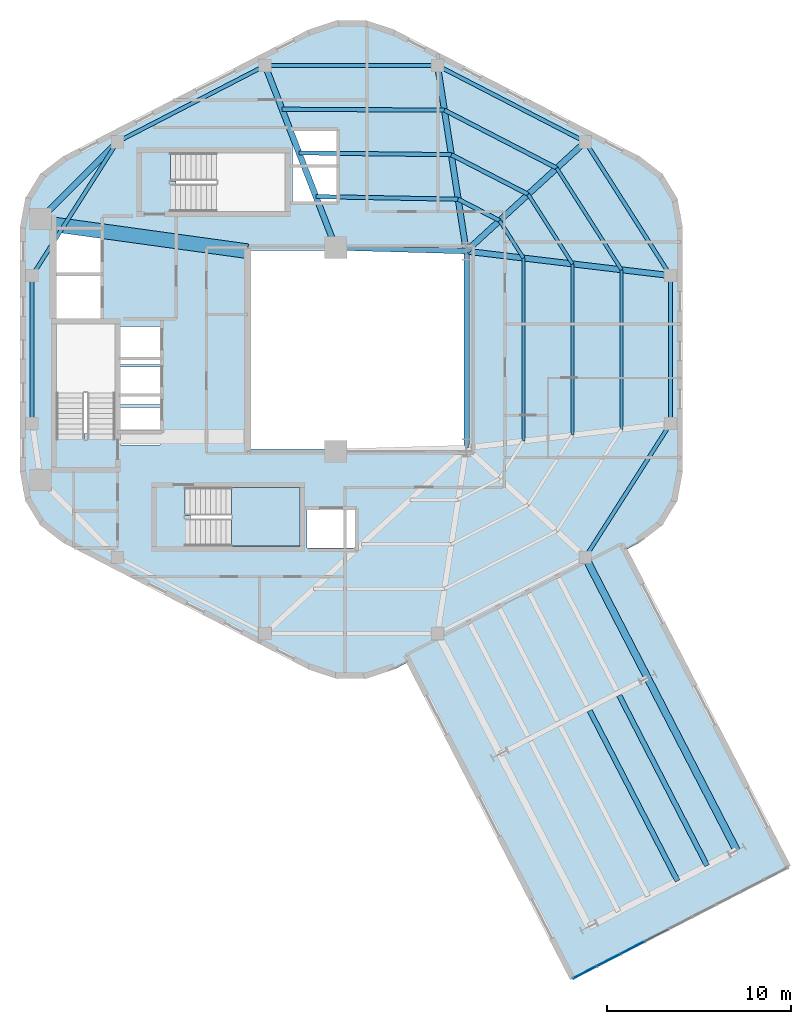
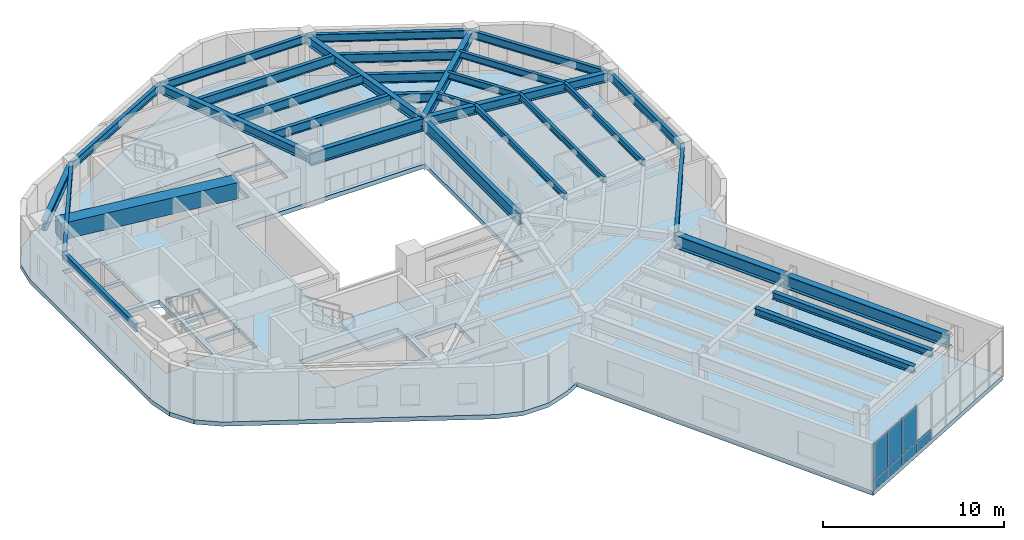
# One storey, part 5 of 10: 32 beams, 7 plates, 2 slabs, 2 elements without a shape of their own.
"""IFC4 building model written with IfcOpenShell, lengths in metres."""

from ifc_helpers import new_model, si_unit, direction, frame, origin, origin_2d, place, context, subcontext, project, spatial, polyline, rectangle, i_section, outline, extrude, material, layer, layer_set, material_profile, profile_set, type_object, element, aggregate, save


model = new_model("IFC4")

# Units and contexts
model_context = context("Model", 3, precision=1e-05, world=origin(), true_north=direction((0.0, 1.0)))
body_context = subcontext(model_context, "Body", "Model", "MODEL_VIEW")
ifc_project = project(units=[si_unit("LENGTHUNIT", "METRE"), si_unit("AREAUNIT", "SQUARE_METRE"), si_unit("VOLUMEUNIT", "CUBIC_METRE"), si_unit("PLANEANGLEUNIT", "RADIAN"), si_unit("MASSUNIT", "GRAM", prefix="KILO"), si_unit("THERMODYNAMICTEMPERATUREUNIT", "KELVIN"), si_unit("POWERUNIT", "WATT")], contexts=[model_context])

# Site, building, storey
site_placement = place(None, origin())
site = spatial("IfcSite", under=ifc_project, at=site_placement, CompositionType="ELEMENT")
building_placement = place(site_placement, origin())
building = spatial("IfcBuilding", under=site, at=building_placement, Name="Skarre Station Tower", CompositionType="ELEMENT")
storey_placement = place(building_placement, frame((0.0, 0.0, 238.35009765625)))
storey = spatial("IfcBuildingStorey", under=building, at=storey_placement, Name="L65", CompositionType="ELEMENT", Elevation=238.35009765625)

# Beams
ifc_material_1 = material(Name="Concrete C70/85", Category="concrete")
ifc_material_profile_1 = material_profile(ifc_material_1, rectangle(XDim=0.800048828125, YDim=1.10009765625, at=origin_2d()), Name="Concrete C70/85")
ifc_profile_set_1 = profile_set([ifc_material_profile_1], Name="Concrete C70/85")
beam_type_1 = type_object("IfcBeamType", Name="RC Core Coupling Lintel 800x1100", PredefinedType="LINTEL", material=ifc_profile_set_1)
beam_1_placement = place(storey_placement, frame((17.050048828125, 30.800048828125, 2.7099609375), z_axis=(0.990599723633, -0.136792498109, 0.0), x_axis=(0.136792498109, 0.990599723633, 0.0)))
element("IfcBeam", 1, at=beam_1_placement, inside=storey, type_object=beam_type_1, Name="L65 North Core Coupling Lintel", PredefinedType="LINTEL", context=body_context, shape_type="SweptSolid", body=[
    extrude(rectangle(XDim=0.800048828125, YDim=1.10009765625, at=origin_2d()), origin(), (0.0, 0.0, 1.0), 10.599609375),
])
ifc_material_2 = material(Name="Steel ASTM A992 Grade 50", Category="steel")
ifc_material_profile_2 = material_profile(ifc_material_2, i_section(OverallWidth=0.323974609375, OverallDepth=0.611083984375, WebThickness=0.012939453125, FlangeThickness=0.01904296875, at=origin_2d()), Name="Steel ASTM A992 Grade 50")
ifc_profile_set_2 = profile_set([ifc_material_profile_2], Name="Steel ASTM A992 Grade 50")
beam_type_2 = type_object("IfcBeamType", Name="Steel Beam W24X104", PredefinedType="BEAM", material=ifc_profile_set_2)
beam_2_placement = place(storey_placement, frame((39.449951171875, 29.35009765625, 2.954833984375), z_axis=(0.736547671183, 0.676385635621, 0.0), x_axis=(-0.676385635621, 0.736547671183, 0.0)))
element("IfcBeam", 2, at=beam_2_placement, inside=storey, type_object=beam_type_2, Name="L65 Radial Floor Girder F0C1", PredefinedType="BEAM", context=body_context, shape_type="SweptSolid", body=[
    extrude(i_section(OverallWidth=0.323974609375, OverallDepth=0.611083984375, WebThickness=0.012939453125, FlangeThickness=0.01904296875, at=origin_2d()), origin(), (0.0, 0.0, 1.0), 8.793701171875),
])
beam_3_placement = place(storey_placement, frame((39.449951171875, 29.35009765625, 2.954833984375), z_axis=(-0.152789762931, 0.988258715288, 0.0), x_axis=(-0.988258715288, -0.152789762931, 0.0)))
element("IfcBeam", 3, at=beam_3_placement, inside=storey, type_object=beam_type_2, Name="L65 Radial Floor Girder F0C2", PredefinedType="BEAM", context=body_context, shape_type="SweptSolid", body=[
    extrude(i_section(OverallWidth=0.323974609375, OverallDepth=0.611083984375, WebThickness=0.012939453125, FlangeThickness=0.01904296875, at=origin_2d()), origin(), (0.0, 0.0, 1.0), 10.216796875),
])
beam_4_placement = place(storey_placement, frame((32.35009765625, 29.550048828125, 2.954833984375), z_axis=(-0.361651478681, 0.932313363611, 0.0), x_axis=(-0.932313363611, -0.361651478681, 0.0)))
element("IfcBeam", 4, at=beam_4_placement, inside=storey, type_object=beam_type_2, Name="L65 Radial Floor Girder F1C1", PredefinedType="BEAM", context=body_context, shape_type="SweptSolid", body=[
    extrude(i_section(OverallWidth=0.323974609375, OverallDepth=0.611083984375, WebThickness=0.012939453125, FlangeThickness=0.01904296875, at=origin_2d()), origin(), (0.0, 0.0, 1.0), 10.615478515625),
])
beam_5_placement = place(storey_placement, frame((16.300048828125, 31.10009765625, 2.954833984375), z_axis=(0.704979413242, 0.709227768002, 0.0), x_axis=(-0.709227768002, 0.704979413242, 0.0)))
element("IfcBeam", 5, at=beam_5_placement, inside=storey, type_object=beam_type_2, Name="L65 Radial Floor Girder F1C2", PredefinedType="BEAM", context=body_context, shape_type="SweptSolid", body=[
    extrude(i_section(OverallWidth=0.323974609375, OverallDepth=0.611083984375, WebThickness=0.012939453125, FlangeThickness=0.01904296875, at=origin_2d()), origin(), (0.0, 0.0, 1.0), 5.919189453125),
])
beam_6_placement = place(storey_placement, frame((39.449951171875, 29.35009765625, 2.954833984375), z_axis=(0.99292393128, -0.118752122891, 0.0), x_axis=(0.118752122891, 0.99292393128, 0.0)))
element("IfcBeam", 6, at=beam_6_placement, inside=storey, type_object=beam_type_2, Name="L65 Radial Floor Girder F5C2", PredefinedType="BEAM", context=body_context, shape_type="SweptSolid", body=[
    extrude(i_section(OverallWidth=0.323974609375, OverallDepth=0.611083984375, WebThickness=0.012939453125, FlangeThickness=0.01904296875, at=origin_2d()), origin(), (0.0, 0.0, 1.0), 11.192138671875),
])
ifc_material_profile_3 = material_profile(ifc_material_2, i_section(OverallWidth=0.26806640625, OverallDepth=0.77001953125, WebThickness=0.01611328125, FlangeThickness=0.02490234375, at=origin_2d()), Name="Steel ASTM A992 Grade 50")
ifc_profile_set_3 = profile_set([ifc_material_profile_3], Name="Steel ASTM A992 Grade 50")
beam_type_3 = type_object("IfcBeamType", Name="Steel Beam W30X132", PredefinedType="BEAM", material=ifc_profile_set_3)
beam_7_placement = place(storey_placement, frame((39.449951171875, 18.64990234375, 2.875), z_axis=(0.0, 1.0, 0.0), x_axis=(-1.0, 0.0, 0.0)))
element("IfcBeam", 7, at=beam_7_placement, inside=storey, type_object=beam_type_3, Name="L65 Atrium East Edge Girder", PredefinedType="BEAM", context=body_context, shape_type="SweptSolid", body=[
    extrude(i_section(OverallWidth=0.26806640625, OverallDepth=0.77001953125, WebThickness=0.01611328125, FlangeThickness=0.02490234375, at=origin_2d()), origin(), (0.0, 0.0, 1.0), 10.7001953125),
])
ifc_material_profile_4 = material_profile(ifc_material_2, i_section(OverallWidth=0.2919921875, OverallDepth=0.85888671875, WebThickness=0.01708984375, FlangeThickness=0.031005859375, at=origin_2d()), Name="Steel ASTM A992 Grade 50")
ifc_profile_set_4 = profile_set([ifc_material_profile_4], Name="Steel ASTM A992 Grade 50")
beam_type_4 = type_object("IfcBeamType", Name="Steel Beam W33X169", PredefinedType="BEAM", material=ifc_profile_set_4)
beam_8_placement = place(storey_placement, frame((32.35009765625, 29.550048828125, 2.830810546875), z_axis=(0.999603666405, -0.028151556095, 0.0), x_axis=(0.028151556095, 0.999603666405, 0.0)))
element("IfcBeam", 8, at=beam_8_placement, inside=storey, type_object=beam_type_4, Name="L65 Atrium North Edge Girder", PredefinedType="BEAM", context=body_context, shape_type="SweptSolid", body=[
    extrude(i_section(OverallWidth=0.2919921875, OverallDepth=0.85888671875, WebThickness=0.01708984375, FlangeThickness=0.031005859375, at=origin_2d()), origin(), (0.0, 0.0, 1.0), 7.102783203125),
])
ifc_material_profile_5 = material_profile(ifc_material_2, i_section(OverallWidth=0.40087890625, OverallDepth=0.876953125, WebThickness=0.02197265625, FlangeThickness=0.0400390625, at=origin_2d()), Name="Steel ASTM A992 Grade 50")
ifc_profile_set_5 = profile_set([ifc_material_profile_5], Name="Steel ASTM A992 Grade 50")
beam_type_5 = type_object("IfcBeamType", Name="Steel Beam W33X263", PredefinedType="BEAM", material=ifc_profile_set_5)
beam_9_placement = place(storey_placement, frame((45.927001953125, 12.701904296875, 2.822021484375), z_axis=(0.45867578355, -0.888603694334, 0.0), x_axis=(0.888603694334, 0.45867578355, 0.0)))
element("IfcBeam", 9, at=beam_9_placement, inside=storey, type_object=beam_type_5, Name="L65 SB-5 Side 2 Inner Girder", PredefinedType="BEAM", context=body_context, shape_type="SweptSolid", body=[
    extrude(i_section(OverallWidth=0.40087890625, OverallDepth=0.876953125, WebThickness=0.02197265625, FlangeThickness=0.0400390625, at=origin_2d()), origin(), (0.0, 0.0, 1.0), 7.3798828125),
])
beam_10_placement = place(storey_placement, frame((49.31201171875, 6.14404296875, 2.822021484375), z_axis=(0.458743525652, -0.888568724226, 0.0), x_axis=(0.888568724226, 0.458743525652, 0.0)))
element("IfcBeam", 10, at=beam_10_placement, inside=storey, type_object=beam_type_5, Name="L65 SB-5 Side 2 Outer Girder", PredefinedType="BEAM", context=body_context, shape_type="SweptSolid", body=[
    extrude(i_section(OverallWidth=0.40087890625, OverallDepth=0.876953125, WebThickness=0.02197265625, FlangeThickness=0.0400390625, at=origin_2d()), origin(), (0.0, 0.0, 1.0), 10.56982421875),
])
ifc_material_profile_6 = material_profile(ifc_material_2, i_section(OverallWidth=0.177978515625, OverallDepth=0.403076171875, WebThickness=0.008056640625, FlangeThickness=0.010986328125, at=origin_2d()), Name="Steel ASTM A992 Grade 50")
ifc_profile_set_6 = profile_set([ifc_material_profile_6], Name="Steel ASTM A992 Grade 50")
beam_type_6 = type_object("IfcBeamType", Name="Steel Joist W16X36", PredefinedType="JOIST", material=ifc_profile_set_6)
beam_11_placement = place(storey_placement, frame((42.56201171875, 19.02197265625, 3.058837890625), z_axis=(0.0, 1.0, 0.0), x_axis=(-1.0, 0.0, 0.0)))
element("IfcBeam", 11, at=beam_11_placement, inside=storey, type_object=beam_type_6, Name="L65 Auxiliary Composite Joist 21", PredefinedType="JOIST", context=body_context, shape_type="SweptSolid", body=[
    extrude(i_section(OverallWidth=0.177978515625, OverallDepth=0.403076171875, WebThickness=0.008056640625, FlangeThickness=0.010986328125, at=origin_2d()), origin(), (0.0, 0.0, 1.0), 9.9560546875),
])
beam_12_placement = place(storey_placement, frame((45.22900390625, 19.341064453125, 3.058837890625), z_axis=(0.0, 1.0, 0.0), x_axis=(-1.0, 0.0, 0.0)))
element("IfcBeam", 12, at=beam_12_placement, inside=storey, type_object=beam_type_6, Name="L65 Auxiliary Composite Joist 22", PredefinedType="JOIST", context=body_context, shape_type="SweptSolid", body=[
    extrude(i_section(OverallWidth=0.177978515625, OverallDepth=0.403076171875, WebThickness=0.008056640625, FlangeThickness=0.010986328125, at=origin_2d()), origin(), (0.0, 0.0, 1.0), 9.31787109375),
])
beam_13_placement = place(storey_placement, frame((47.89599609375, 19.659912109375, 3.058837890625), z_axis=(0.0, 1.0, 0.0), x_axis=(-1.0, 0.0, 0.0)))
element("IfcBeam", 13, at=beam_13_placement, inside=storey, type_object=beam_type_6, Name="L65 Auxiliary Composite Joist 23", PredefinedType="JOIST", context=body_context, shape_type="SweptSolid", body=[
    extrude(i_section(OverallWidth=0.177978515625, OverallDepth=0.403076171875, WebThickness=0.008056640625, FlangeThickness=0.010986328125, at=origin_2d()), origin(), (0.0, 0.0, 1.0), 8.68017578125),
])
ifc_material_profile_7 = material_profile(ifc_material_2, i_section(OverallWidth=0.19091796875, OverallDepth=0.45703125, WebThickness=0.009033203125, FlangeThickness=0.013916015625, at=origin_2d()), Name="Steel ASTM A992 Grade 50")
ifc_profile_set_7 = profile_set([ifc_material_profile_7], Name="Steel ASTM A992 Grade 50")
beam_type_7 = type_object("IfcBeamType", Name="Steel Joist W18X50", PredefinedType="JOIST", material=ifc_profile_set_7)
beam_14_placement = place(storey_placement, frame((42.56201171875, 28.97802734375, 3.031982421875), z_axis=(-0.537437848622, 0.843303361116, 0.0), x_axis=(-0.843303361116, -0.537437848622, 0.0)))
element("IfcBeam", 14, at=beam_14_placement, inside=storey, type_object=beam_type_7, Name="L65 Auxiliary Composite Joist 24", PredefinedType="JOIST", context=body_context, shape_type="SweptSolid", body=[
    extrude(i_section(OverallWidth=0.19091796875, OverallDepth=0.45703125, WebThickness=0.009033203125, FlangeThickness=0.013916015625, at=origin_2d()), origin(), (0.0, 0.0, 1.0), 2.415283203125),
])
beam_15_placement = place(storey_placement, frame((45.22900390625, 28.658935546875, 3.031982421875), z_axis=(-0.53731551376, 0.843381312737, 0.0), x_axis=(-0.843381312737, -0.53731551376, 0.0)))
element("IfcBeam", 15, at=beam_15_placement, inside=storey, type_object=beam_type_7, Name="L65 Auxiliary Composite Joist 25", PredefinedType="JOIST", context=body_context, shape_type="SweptSolid", body=[
    extrude(i_section(OverallWidth=0.19091796875, OverallDepth=0.45703125, WebThickness=0.009033203125, FlangeThickness=0.013916015625, at=origin_2d()), origin(), (0.0, 0.0, 1.0), 4.48681640625),
])
beam_16_placement = place(storey_placement, frame((47.89599609375, 28.340087890625, 3.031982421875), z_axis=(-0.537292232804, 0.843396144507, 0.0), x_axis=(-0.843396144507, -0.537292232804, 0.0)))
element("IfcBeam", 16, at=beam_16_placement, inside=storey, type_object=beam_type_7, Name="L65 Auxiliary Composite Joist 26", PredefinedType="JOIST", context=body_context, shape_type="SweptSolid", body=[
    extrude(i_section(OverallWidth=0.19091796875, OverallDepth=0.45703125, WebThickness=0.009033203125, FlangeThickness=0.013916015625, at=origin_2d()), origin(), (0.0, 0.0, 1.0), 6.556884765625),
])
ifc_material_profile_8 = material_profile(ifc_material_2, i_section(OverallWidth=0.280029296875, OverallDepth=0.462890625, WebThickness=0.010986328125, FlangeThickness=0.01708984375, at=origin_2d()), Name="Steel ASTM A992 Grade 50")
ifc_profile_set_8 = profile_set([ifc_material_profile_8], Name="Steel ASTM A992 Grade 50")
beam_type_8 = type_object("IfcBeamType", Name="Steel Joist W18X76", PredefinedType="JOIST", material=ifc_profile_set_8)
for number, where, z_axis, x_axis, name in (
    (17, (46.1630859375, 4.35595703125, 3.02880859375), (0.458762809961, -0.888558768004, 0.0), (0.888558768004, 0.458762809961, 0.0), "L65 SB-5 Outer Deck Joist 3"),
    (18, (47.77001953125, 5.18603515625, 3.02880859375), (0.458762809961, -0.888558768004, 0.0), (0.888558768004, 0.458762809961, 0.0), "L65 SB-5 Outer Deck Joist 4"),
):
    element("IfcBeam", number, at=place(storey_placement, frame(where, z_axis=z_axis, x_axis=x_axis)), inside=storey, type_object=beam_type_8, Name=name, PredefinedType="JOIST", context=body_context, shape_type="SweptSolid", body=[
        extrude(i_section(OverallWidth=0.280029296875, OverallDepth=0.462890625, WebThickness=0.010986328125, FlangeThickness=0.01708984375, at=origin_2d()), origin(), (0.0, 0.0, 1.0), 10.42578125),
    ])
ifc_material_profile_9 = material_profile(ifc_material_2, i_section(OverallWidth=0.22802734375, OverallDepth=0.60791015625, WebThickness=0.010986328125, FlangeThickness=0.01708984375, at=origin_2d()), Name="Steel ASTM A992 Grade 50")
ifc_profile_set_9 = profile_set([ifc_material_profile_9], Name="Steel ASTM A992 Grade 50")
beam_type_9 = type_object("IfcBeamType", Name="Steel Joist W24X76", PredefinedType="JOIST", material=ifc_profile_set_9)
beam_17_placement = place(storey_placement, frame((41.263916015625, 31.014892578125, 2.955810546875), z_axis=(-0.888569970054, 0.458741112522, 0.0), x_axis=(-0.458741112522, -0.888569970054, 0.0)))
element("IfcBeam", 19, at=beam_17_placement, inside=storey, type_object=beam_type_9, Name="L65 Secondary Floor Joist 1", PredefinedType="JOIST", context=body_context, shape_type="SweptSolid", body=[
    extrude(i_section(OverallWidth=0.22802734375, OverallDepth=0.60791015625, WebThickness=0.010986328125, FlangeThickness=0.01708984375, at=origin_2d()), origin(), (0.0, 0.0, 1.0), 2.533203125),
])
beam_18_placement = place(storey_placement, frame((42.818115234375, 32.443115234375, 2.955810546875), z_axis=(-0.88866637077, 0.458554338614, 0.0), x_axis=(-0.458554338614, -0.88866637077, 0.0)))
element("IfcBeam", 20, at=beam_18_placement, inside=storey, type_object=beam_type_9, Name="L65 Secondary Floor Joist 2", PredefinedType="JOIST", context=body_context, shape_type="SweptSolid", body=[
    extrude(i_section(OverallWidth=0.22802734375, OverallDepth=0.60791015625, WebThickness=0.010986328125, FlangeThickness=0.01708984375, at=origin_2d()), origin(), (0.0, 0.0, 1.0), 4.703857421875),
])
beam_19_placement = place(storey_placement, frame((44.373046875, 33.8701171875, 2.955810546875), z_axis=(-0.888578636, 0.458724326414, 0.0), x_axis=(-0.458724326414, -0.888578636, 0.0)))
element("IfcBeam", 21, at=beam_19_placement, inside=storey, type_object=beam_type_9, Name="L65 Secondary Floor Joist 3", PredefinedType="JOIST", context=body_context, shape_type="SweptSolid", body=[
    extrude(i_section(OverallWidth=0.22802734375, OverallDepth=0.60791015625, WebThickness=0.010986328125, FlangeThickness=0.01708984375, at=origin_2d()), origin(), (0.0, 0.0, 1.0), 6.875244140625),
])
beam_20_placement = place(storey_placement, frame((39.012939453125, 32.177001953125, 2.955810546875), z_axis=(-0.999826787326, 0.018611699149, 0.0), x_axis=(-0.018611699149, -0.999826787326, 0.0)))
element("IfcBeam", 22, at=beam_20_placement, inside=storey, type_object=beam_type_9, Name="L65 Secondary Floor Joist 4", PredefinedType="JOIST", context=body_context, shape_type="SweptSolid", body=[
    extrude(i_section(OverallWidth=0.22802734375, OverallDepth=0.60791015625, WebThickness=0.010986328125, FlangeThickness=0.01708984375, at=origin_2d()), origin(), (0.0, 0.0, 1.0), 7.7392578125),
])
beam_21_placement = place(storey_placement, frame((38.637939453125, 34.60009765625, 2.955810546875), z_axis=(-0.999932931577, 0.011581552035, 0.0), x_axis=(-0.011581552035, -0.999932931577, 0.0)))
element("IfcBeam", 23, at=beam_21_placement, inside=storey, type_object=beam_type_9, Name="L65 Secondary Floor Joist 5", PredefinedType="JOIST", context=body_context, shape_type="SweptSolid", body=[
    extrude(i_section(OverallWidth=0.22802734375, OverallDepth=0.60791015625, WebThickness=0.010986328125, FlangeThickness=0.01708984375, at=origin_2d()), origin(), (0.0, 0.0, 1.0), 8.284423828125),
])
beam_22_placement = place(storey_placement, frame((38.263916015625, 37.02392578125, 2.955810546875), z_axis=(-0.999985173054, 0.005445518551, 0.0), x_axis=(-0.005445518551, -0.999985173054, 0.0)))
element("IfcBeam", 24, at=beam_22_placement, inside=storey, type_object=beam_type_9, Name="L65 Secondary Floor Joist 6", PredefinedType="JOIST", context=body_context, shape_type="SweptSolid", body=[
    extrude(i_section(OverallWidth=0.22802734375, OverallDepth=0.60791015625, WebThickness=0.010986328125, FlangeThickness=0.01708984375, at=origin_2d()), origin(), (0.0, 0.0, 1.0), 8.832275390625),
])
ifc_material_profile_10 = material_profile(ifc_material_2, i_section(OverallWidth=0.214111328125, OverallDepth=0.549072265625, WebThickness=0.014892578125, FlangeThickness=0.02392578125, at=origin_2d()), Name="Steel ASTM A992 Grade 50")
ifc_profile_set_10 = profile_set([ifc_material_profile_10], Name="Steel ASTM A992 Grade 50")
beam_type_10 = type_object("IfcBeamType", Name="Steel Spandrel W21X93", PredefinedType="SPANDREL", material=ifc_profile_set_10)
beam_23_placement = place(storey_placement, frame((45.927001953125, 35.298095703125, 2.98583984375), z_axis=(-0.888610011727, 0.458663544505, 0.0), x_axis=(-0.458663544505, -0.888610011727, 0.0)))
element("IfcBeam", 25, at=beam_23_placement, inside=storey, type_object=beam_type_10, Name="L65 Facet Spandrel Beam 1", PredefinedType="SPANDREL", context=body_context, shape_type="SweptSolid", body=[
    extrude(i_section(OverallWidth=0.214111328125, OverallDepth=0.549072265625, WebThickness=0.014892578125, FlangeThickness=0.02392578125, at=origin_2d()), origin(), (0.0, 0.0, 1.0), 9.045654296875),
])
beam_24_placement = place(storey_placement, frame((37.888916015625, 39.447021484375, 2.98583984375), z_axis=(-1.0, 0.0, 0.0), x_axis=(0.0, -1.0, 0.0)))
element("IfcBeam", 26, at=beam_24_placement, inside=storey, type_object=beam_type_10, Name="L65 Facet Spandrel Beam 2", PredefinedType="SPANDREL", context=body_context, shape_type="SweptSolid", body=[
    extrude(i_section(OverallWidth=0.214111328125, OverallDepth=0.549072265625, WebThickness=0.014892578125, FlangeThickness=0.02392578125, at=origin_2d()), origin(), (0.0, 0.0, 1.0), 9.3779296875),
])
beam_25_placement = place(storey_placement, frame((28.510986328125, 39.447021484375, 2.98583984375), z_axis=(-0.888610011727, -0.458663544505, 0.0), x_axis=(0.458663544505, -0.888610011727, 0.0)))
element("IfcBeam", 27, at=beam_25_placement, inside=storey, type_object=beam_type_10, Name="L65 Facet Spandrel Beam 3", PredefinedType="SPANDREL", context=body_context, shape_type="SweptSolid", body=[
    extrude(i_section(OverallWidth=0.214111328125, OverallDepth=0.549072265625, WebThickness=0.014892578125, FlangeThickness=0.02392578125, at=origin_2d()), origin(), (0.0, 0.0, 1.0), 9.045654296875),
])
beam_26_placement = place(storey_placement, frame((20.472900390625, 35.298095703125, 2.98583984375), z_axis=(-0.537296523663, -0.843393410965, 0.0), x_axis=(0.843393410965, -0.537296523663, 0.0)))
element("IfcBeam", 28, at=beam_26_placement, inside=storey, type_object=beam_type_10, Name="L65 Facet Spandrel Beam 4", PredefinedType="SPANDREL", context=body_context, shape_type="SweptSolid", body=[
    extrude(i_section(OverallWidth=0.214111328125, OverallDepth=0.549072265625, WebThickness=0.014892578125, FlangeThickness=0.02392578125, at=origin_2d()), origin(), (0.0, 0.0, 1.0), 8.62841796875),
])
beam_27_placement = place(storey_placement, frame((15.8369140625, 28.02099609375, 2.98583984375), z_axis=(0.0, -1.0, 0.0), x_axis=(1.0, 0.0, 0.0)))
element("IfcBeam", 29, at=beam_27_placement, inside=storey, type_object=beam_type_10, Name="L65 Facet Spandrel Beam 5", PredefinedType="SPANDREL", context=body_context, shape_type="SweptSolid", body=[
    extrude(i_section(OverallWidth=0.214111328125, OverallDepth=0.549072265625, WebThickness=0.014892578125, FlangeThickness=0.02392578125, at=origin_2d()), origin(), (0.0, 0.0, 1.0), 8.0419921875),
])
beam_28_placement = place(storey_placement, frame((45.927001953125, 12.701904296875, 2.98583984375), z_axis=(0.537296523663, 0.843393410965, 0.0), x_axis=(-0.843393410965, 0.537296523663, 0.0)))
element("IfcBeam", 30, at=beam_28_placement, inside=storey, type_object=beam_type_10, Name="L65 Facet Spandrel Beam 10", PredefinedType="SPANDREL", context=body_context, shape_type="SweptSolid", body=[
    extrude(i_section(OverallWidth=0.214111328125, OverallDepth=0.549072265625, WebThickness=0.014892578125, FlangeThickness=0.02392578125, at=origin_2d()), origin(), (0.0, 0.0, 1.0), 8.62841796875),
])
beam_29_placement = place(storey_placement, frame((50.56298828125, 19.97900390625, 2.98583984375), z_axis=(0.0, 1.0, 0.0), x_axis=(-1.0, 0.0, 0.0)))
element("IfcBeam", 31, at=beam_29_placement, inside=storey, type_object=beam_type_10, Name="L65 Facet Spandrel Beam 11", PredefinedType="SPANDREL", context=body_context, shape_type="SweptSolid", body=[
    extrude(i_section(OverallWidth=0.214111328125, OverallDepth=0.549072265625, WebThickness=0.014892578125, FlangeThickness=0.02392578125, at=origin_2d()), origin(), (0.0, 0.0, 1.0), 8.0419921875),
])
beam_30_placement = place(storey_placement, frame((50.56298828125, 28.02099609375, 2.98583984375), z_axis=(-0.537296523663, 0.843393410965, 0.0), x_axis=(-0.843393410965, -0.537296523663, 0.0)))
element("IfcBeam", 32, at=beam_30_placement, inside=storey, type_object=beam_type_10, Name="L65 Facet Spandrel Beam 12", PredefinedType="SPANDREL", context=body_context, shape_type="SweptSolid", body=[
    extrude(i_section(OverallWidth=0.214111328125, OverallDepth=0.549072265625, WebThickness=0.014892578125, FlangeThickness=0.02392578125, at=origin_2d()), origin(), (0.0, 0.0, 1.0), 8.62841796875),
])

# Curtain wall, plates
ifc_material_3 = material(Name="Thermally Broken Bronze-Anodized Aluminium & Triple Low-E Glass", Category="aluminium")
ifc_layer_1 = layer(ifc_material_3, 0.2099609375, Name="Thermally Broken Bronze-Anodized Aluminium & Triple Low-E Glass")
ifc_layer_set_1 = layer_set([ifc_layer_1], Name="Thermally Broken Bronze-Anodized Aluminium & Triple Low-E Glass")
curtain_wall_type = type_object("IfcCurtainWallType", Name="Sky-Bar Prow Structural Glazed Curtain Wall", PredefinedType="NOTDEFINED", material=ifc_layer_set_1)
curtain_wall_placement = place(storey_placement, origin())
curtain_wall = element("IfcCurtainWall", 33, at=curtain_wall_placement, inside=storey, type_object=curtain_wall_type, Name="L65 SB-5 Lakefront Prow Curtain Wall", PredefinedType="NOTDEFINED")
ifc_material_4 = material(Name="Insulated Bronze Anodized Aluminium Spandrel", Category="aluminium")
ifc_layer_2 = layer(ifc_material_4, 0.052001953125, Name="Insulated Bronze Anodized Aluminium Spandrel")
ifc_layer_set_2 = layer_set([ifc_layer_2], Name="Insulated Bronze Anodized Aluminium Spandrel")
plate_type_1 = type_object("IfcPlateType", Name="Bronze Insulated Spandrel Sheet Panel 52", PredefinedType="SHEET", material=ifc_layer_set_2)
plate_1_placement = place(storey_placement, frame((49.802001953125, -7.861083984375, 0.052001953125), z_axis=(0.0, 0.0, 1.0), x_axis=(-0.888577204547, -0.45872709922, 0.0)))
plate_1 = element("IfcPlate", 34, at=plate_1_placement, type_object=plate_type_1, Name="L65 SB-5 Lakefront Prow Curtain Wall Spandrel Panel 6-1", PredefinedType="SHEET", context=body_context, shape_type="SweptSolid", body=[
    extrude(rectangle(XDim=1.443115234375, YDim=0.052001953125, at=origin_2d()), origin(), (0.0, 0.0, 1.0), 0.68603515625),
])
plate_2_placement = place(storey_placement, frame((48.4990234375, -8.533935546875, 0.052001953125), z_axis=(0.0, 0.0, 1.0), x_axis=(-0.888577204547, -0.45872709922, 0.0)))
plate_2 = element("IfcPlate", 35, at=plate_2_placement, type_object=plate_type_1, Name="L65 SB-5 Lakefront Prow Curtain Wall Spandrel Panel 7-1", PredefinedType="SHEET", context=body_context, shape_type="SweptSolid", body=[
    extrude(rectangle(XDim=1.443115234375, YDim=0.052001953125, at=origin_2d()), origin(), (0.0, 0.0, 1.0), 0.68603515625),
])
plate_3_placement = place(storey_placement, frame((47.196044921875, -9.20703125, 0.052001953125), z_axis=(0.0, 0.0, 1.0), x_axis=(-0.888577204547, -0.45872709922, 0.0)))
plate_3 = element("IfcPlate", 36, at=plate_3_placement, type_object=plate_type_1, Name="L65 SB-5 Lakefront Prow Curtain Wall Spandrel Panel 8-1", PredefinedType="SHEET", context=body_context, shape_type="SweptSolid", body=[
    extrude(rectangle(XDim=1.443115234375, YDim=0.052001953125, at=origin_2d()), origin(), (0.0, 0.0, 1.0), 0.68603515625),
])
plate_4_placement = place(storey_placement, frame((45.89306640625, -9.8798828125, 0.052001953125), z_axis=(0.0, 0.0, 1.0), x_axis=(-0.888577204547, -0.45872709922, 0.0)))
plate_4 = element("IfcPlate", 37, at=plate_4_placement, type_object=plate_type_1, Name="L65 SB-5 Lakefront Prow Curtain Wall Spandrel Panel 9-1", PredefinedType="SHEET", context=body_context, shape_type="SweptSolid", body=[
    extrude(rectangle(XDim=1.443115234375, YDim=0.052001953125, at=origin_2d()), origin(), (0.0, 0.0, 1.0), 0.68603515625),
])

# Stair, slab
ifc_material_5 = material(Name="Concrete C40/50", Category="concrete")
stair_type = type_object("IfcStairType", Name="Reinforced Concrete Exit Stair ST-2", PredefinedType="HALF_TURN_STAIR", material=ifc_material_5)
stair_placement = place(storey_placement, origin())
stair = element("IfcStair", 38, at=stair_placement, inside=storey, type_object=stair_type, Name="L65 Core Exit Stair ST-2", PredefinedType="HALF_TURN_STAIR")
ifc_layer_3 = layer(ifc_material_5, 0.219970703125, Name="Concrete C40/50")
ifc_layer_set_3 = layer_set([ifc_layer_3], Name="Concrete C40/50")
slab_type_1 = type_object("IfcSlabType", Name="Reinforced Concrete Stair & Ramp Landing 220", PredefinedType="LANDING", material=ifc_layer_set_3)
slab_1_placement = place(storey_placement, frame((0.0, 0.0, 1.574951171875)))
slab_1 = element("IfcSlab", 39, at=slab_1_placement, type_object=slab_type_1, Name="ST-2 landing 1", PredefinedType="LANDING", context=body_context, shape_type="SweptSolid", body=[
    extrude(outline(polyline([(26.669921875, 13.300048828125), (30.39990234375, 13.300048828125), (30.39990234375, 16.5), (26.669921875, 16.5), (26.669921875, 13.300048828125)])), origin(), (0.0, 0.0, 1.0), 0.199951171875),
])
aggregate(stair, [slab_1])

# Slab
ifc_material_6 = material(Name="Concrete C50/60", Category="concrete")
ifc_layer_4 = layer(ifc_material_6, 0.2900390625, Name="Concrete C50/60")
ifc_layer_set_4 = layer_set([ifc_layer_4], Name="Concrete C50/60")
slab_type_2 = type_object("IfcSlabType", Name="Sky-Bar Composite Floor Slab 290", PredefinedType="FLOOR", material=ifc_layer_set_4)
slab_2_placement = place(storey_placement, frame((0.0, 0.0, -0.2900390625)))
element("IfcSlab", 40, at=slab_2_placement, inside=storey, type_object=slab_type_2, Name="L65 Tower and SB-5 Floor Slab", PredefinedType="FLOOR", context=body_context, shape_type="SweptSolid", body=[
    extrude(outline(polyline([(48.071044921875, 13.077880859375), (48.905029296875, 13.508056640625), (50.1279296875, 14.455078125), (50.93310546875, 15.777099609375), (51.212890625, 17.298095703125), (51.212890625, 30.701904296875), (50.93310546875, 32.222900390625), (50.1279296875, 33.544921875), (48.905029296875, 34.491943359375), (35.508056640625, 41.407958984375), (33.99609375, 41.906005859375), (32.404052734375, 41.906005859375), (30.89208984375, 41.407958984375), (17.4951171875, 34.491943359375), (16.27197265625, 33.544921875), (15.467041015625, 32.222900390625), (15.18701171875, 30.701904296875), (15.18701171875, 17.298095703125), (15.467041015625, 15.777099609375), (16.27197265625, 14.455078125), (17.4951171875, 13.508056640625), (30.89208984375, 6.592041015625), (32.404052734375, 6.093994140625), (33.99609375, 6.093994140625), (35.508056640625, 6.592041015625), (36.342041015625, 7.02197265625), (45.240966796875, -10.216064453125), (56.969970703125, -4.160888671875), (48.071044921875, 13.077880859375)]), holes=[polyline([(18.669921875, 19.419921875), (18.669921875, 19.123046875), (17.14990234375, 19.123046875), (17.14990234375, 25.39990234375), (20.35009765625, 25.39990234375), (20.35009765625, 19.419921875), (18.669921875, 19.419921875)]), polyline([(24.449951171875, 14.97998046875), (24.153076171875, 14.97998046875), (24.153076171875, 16.5), (30.39990234375, 16.5), (30.39990234375, 13.300048828125), (24.449951171875, 13.300048828125), (24.449951171875, 14.97998046875)]), polyline([(23.64990234375, 33.179931640625), (23.35302734375, 33.179931640625), (23.35302734375, 34.699951171875), (29.60009765625, 34.699951171875), (29.60009765625, 31.5), (23.64990234375, 31.5), (23.64990234375, 33.179931640625)]), polyline([(17.14990234375, 28.0), (19.550048828125, 28.0), (19.550048828125, 25.699951171875), (17.14990234375, 25.699951171875), (17.14990234375, 28.0)]), polyline([(17.14990234375, 30.5), (19.550048828125, 30.5), (19.550048828125, 28.199951171875), (17.14990234375, 28.199951171875), (17.14990234375, 30.5)]), polyline([(30.800048828125, 15.300048828125), (33.39990234375, 15.300048828125), (33.39990234375, 13.199951171875), (30.800048828125, 13.199951171875), (30.800048828125, 15.300048828125)]), polyline([(20.64990234375, 20.85009765625), (22.800048828125, 20.85009765625), (22.800048828125, 18.800048828125), (20.64990234375, 18.800048828125), (20.64990234375, 20.85009765625)]), polyline([(20.64990234375, 23.050048828125), (22.800048828125, 23.050048828125), (22.800048828125, 21.0), (20.64990234375, 21.0), (20.64990234375, 23.050048828125)]), polyline([(20.64990234375, 25.25), (22.800048828125, 25.25), (22.800048828125, 23.199951171875), (20.64990234375, 23.199951171875), (20.64990234375, 25.25)]), polyline([(30.0, 33.89990234375), (32.39990234375, 33.89990234375), (32.39990234375, 32.050048828125), (30.0, 32.050048828125), (30.0, 33.89990234375)]), polyline([(30.0, 35.89990234375), (32.39990234375, 35.89990234375), (32.39990234375, 34.050048828125), (30.0, 34.050048828125), (30.0, 35.89990234375)]), polyline([(27.60009765625, 29.39990234375), (39.60009765625, 29.39990234375), (39.60009765625, 18.60009765625), (27.60009765625, 18.60009765625), (27.60009765625, 29.39990234375)])]), origin(), (0.0, 0.0, 1.0), 0.2900390625),
])

# Plate
ifc_material_7 = material(Name="Low-Iron Triple Insulating Glass Unit", Category="glass")
ifc_layer_5 = layer(ifc_material_7, 0.0439453125, Name="Low-Iron Triple Insulating Glass Unit")
ifc_layer_set_5 = layer_set([ifc_layer_5], Name="Low-Iron Triple Insulating Glass Unit")
plate_type_2 = type_object("IfcPlateType", Name="Triple-Glazed Vision Curtain Panel 44", PredefinedType="CURTAIN_PANEL", material=ifc_layer_set_5)
plate_5_placement = place(storey_placement, frame((48.4990234375, -8.533935546875, 0.76171875), z_axis=(0.0, 0.0, 1.0), x_axis=(-0.888577204547, -0.45872709922, 0.0)))
plate_5 = element("IfcPlate", 41, at=plate_5_placement, type_object=plate_type_2, Name="L65 SB-5 Lakefront Prow Curtain Wall Vision Panel 7-2", PredefinedType="CURTAIN_PANEL", context=body_context, shape_type="SweptSolid", body=[
    extrude(rectangle(XDim=1.443115234375, YDim=0.0439453125, at=origin_2d()), origin(), (0.0, 0.0, 1.0), 2.446044921875),
])

plate_6_placement = place(storey_placement, frame((47.196044921875, -9.20703125, 0.76171875), z_axis=(0.0, 0.0, 1.0), x_axis=(-0.888577204547, -0.45872709922, 0.0)))
plate_6 = element("IfcPlate", 42, at=plate_6_placement, type_object=plate_type_2, Name="L65 SB-5 Lakefront Prow Curtain Wall Vision Panel 8-2", PredefinedType="CURTAIN_PANEL", context=body_context, shape_type="SweptSolid", body=[
    extrude(rectangle(XDim=1.443115234375, YDim=0.0439453125, at=origin_2d()), origin(), (0.0, 0.0, 1.0), 2.446044921875),
])

plate_7_placement = place(storey_placement, frame((45.89306640625, -9.8798828125, 0.76171875), z_axis=(0.0, 0.0, 1.0), x_axis=(-0.888577204547, -0.45872709922, 0.0)))
plate_7 = element("IfcPlate", 43, at=plate_7_placement, type_object=plate_type_2, Name="L65 SB-5 Lakefront Prow Curtain Wall Vision Panel 9-2", PredefinedType="CURTAIN_PANEL", context=body_context, shape_type="SweptSolid", body=[
    extrude(rectangle(XDim=1.443115234375, YDim=0.0439453125, at=origin_2d()), origin(), (0.0, 0.0, 1.0), 2.446044921875),
])

aggregate(curtain_wall, [plate_1, plate_2, plate_5, plate_3, plate_6, plate_4, plate_7])

save(model, "model.ifc")
